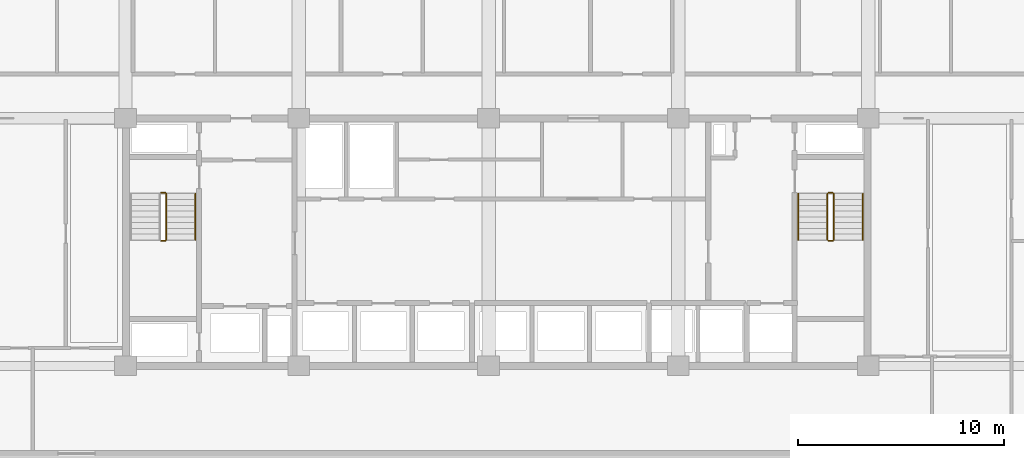
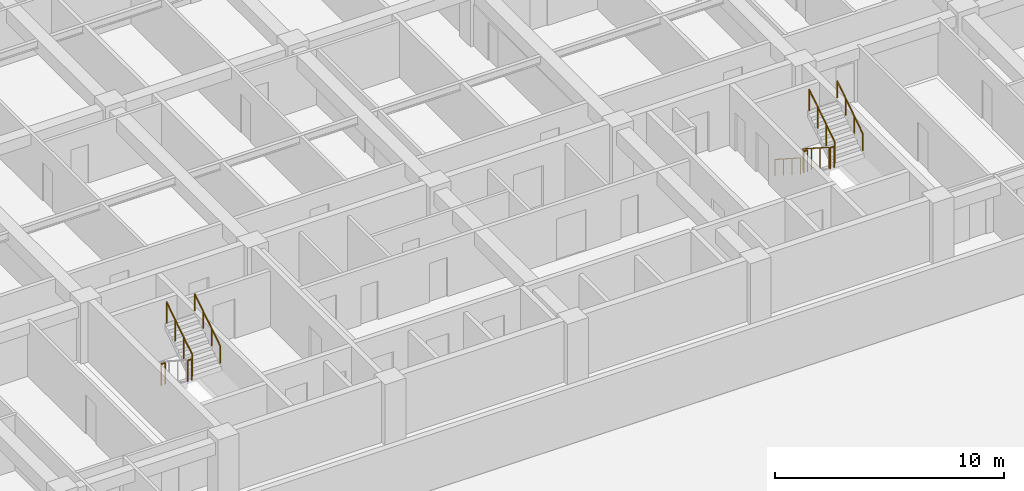
# One storey, part 23 of 24: 10 railings.
"""IFC4 building model written with IfcOpenShell, lengths in metres."""

from ifc_helpers import new_model, si_unit, direction, frame, origin, origin_2d, place, context, subcontext, project, spatial, circle, extrude, material, type_object, element, save


model = new_model("IFC4")

# Units and contexts
model_context = context("Model", 3, precision=1e-05, world=origin(), true_north=direction((0.0, 1.0)))
body_context = subcontext(model_context, "Body", "Model", "MODEL_VIEW")
ifc_project = project(units=[si_unit("LENGTHUNIT", "METRE"), si_unit("AREAUNIT", "SQUARE_METRE"), si_unit("VOLUMEUNIT", "CUBIC_METRE"), si_unit("PLANEANGLEUNIT", "RADIAN"), si_unit("MASSUNIT", "GRAM", prefix="KILO")], contexts=[model_context])

# Site, building, storey
site_placement = place(None, origin())
site = spatial("IfcSite", under=ifc_project, at=site_placement, CompositionType="ELEMENT")
building_placement = place(site_placement, origin())
building = spatial("IfcBuilding", under=site, at=building_placement, Name="Korimba Cascade Residences", CompositionType="ELEMENT")
storey_placement = place(building_placement, frame((0.0, 0.0, 24.0)))
storey = spatial("IfcBuildingStorey", under=building, at=storey_placement, Name="L05", CompositionType="ELEMENT", Elevation=24.0)

# Railings
ifc_material_1 = material(Name="Painted Steel Stairwell Guardrail", Category="steel")
railing_type_1 = type_object("IfcRailingType", Name="RLG-ST-GD1150", PredefinedType="GUARDRAIL", material=ifc_material_1)
railing_1_placement = place(storey_placement, frame((77.820068359375, 61.260009765625, 1.625)))
element("IfcRailing", 1, at=railing_1_placement, inside=storey, type_object=railing_type_1, Name="L05 ST-W1 stair guard 2", PredefinedType="GUARDRAIL", context=body_context, shape_type="SweptSolid", body=[
    extrude(circle(Radius=0.02392578125, at=origin_2d()), frame((0.0, 0.0, 1.1259765625), z_axis=(1.0, 0.0, 0.0), x_axis=(0.0, 1.0, 0.0)), (0.0, 0.0, 1.0), 0.199951171875),
    extrude(circle(Radius=0.02099609375, at=origin_2d()), origin(), (0.0, 0.0, 1.0), 1.101806640625),
    extrude(circle(Radius=0.02099609375, at=origin_2d()), frame((0.199951171875, 0.0, 0.0)), (0.0, 0.0, 1.0), 1.101806640625),
])
railing_2_placement = place(storey_placement, frame((78.070068359375, 61.31005859375, 1.8056640625)))
element("IfcRailing", 2, at=railing_2_placement, inside=storey, type_object=railing_type_1, Name="L05 ST-W1 stair guard 3", PredefinedType="GUARDRAIL", context=body_context, shape_type="SweptSolid", body=[
    extrude(circle(Radius=0.02392578125, at=origin_2d()), frame((0.0, 0.0, 1.1259765625), z_axis=(0.0, 0.840436612492, 0.541909863706), x_axis=(-1.0, 0.0, 0.0)), (0.0, 0.0, 1.0), 2.665283203125),
    extrude(circle(Radius=0.02099609375, at=origin_2d()), origin(), (0.0, 0.0, 1.0), 1.101806640625),
    extrude(circle(Radius=0.02099609375, at=origin_2d()), frame((0.0, 0.74658203125, 0.4814453125)), (0.0, 0.0, 1.0), 1.101806640625),
    extrude(circle(Radius=0.02099609375, at=origin_2d()), frame((0.0, 1.493408203125, 0.962890625)), (0.0, 0.0, 1.0), 1.101806640625),
    extrude(circle(Radius=0.02099609375, at=origin_2d()), frame((0.0, 2.239990234375, 1.4443359375)), (0.0, 0.0, 1.0), 1.101806640625),
])
railing_3_placement = place(storey_placement, frame((77.820068359375, 63.60009765625, 0.0)))
element("IfcRailing", 3, at=railing_3_placement, inside=storey, type_object=railing_type_1, Name="L05 ST-W1 stair guard 4", PredefinedType="GUARDRAIL", context=body_context, shape_type="SweptSolid", body=[
    extrude(circle(Radius=0.02392578125, at=origin_2d()), frame((0.0, 0.0, 1.1259765625), z_axis=(1.0, 0.0, 0.0), x_axis=(0.0, 1.0, 0.0)), (0.0, 0.0, 1.0), 0.199951171875),
    extrude(circle(Radius=0.02099609375, at=origin_2d()), origin(), (0.0, 0.0, 1.0), 1.101806640625),
    extrude(circle(Radius=0.02099609375, at=origin_2d()), frame((0.199951171875, 0.0, 0.0)), (0.0, 0.0, 1.0), 1.101806640625),
])
railing_4_placement = place(storey_placement, frame((110.1298828125, 63.550048828125, 0.1806640625)))
element("IfcRailing", 4, at=railing_4_placement, inside=storey, type_object=railing_type_1, Name="L05 ST-W2 stair guard 1", PredefinedType="GUARDRAIL", context=body_context, shape_type="SweptSolid", body=[
    extrude(circle(Radius=0.02392578125, at=origin_2d()), frame((0.0, 0.0, 1.1259765625), z_axis=(0.0, -0.840436612492, 0.541909863706), x_axis=(1.0, 0.0, 0.0)), (0.0, 0.0, 1.0), 2.665283203125),
    extrude(circle(Radius=0.02099609375, at=origin_2d()), origin(), (0.0, 0.0, 1.0), 1.101806640625),
    extrude(circle(Radius=0.02099609375, at=origin_2d()), frame((0.0, -0.74658203125, 0.4814453125)), (0.0, 0.0, 1.0), 1.101806640625),
    extrude(circle(Radius=0.02099609375, at=origin_2d()), frame((0.0, -1.493408203125, 0.962890625)), (0.0, 0.0, 1.0), 1.101806640625),
    extrude(circle(Radius=0.02099609375, at=origin_2d()), frame((0.0, -2.239990234375, 1.4443359375)), (0.0, 0.0, 1.0), 1.101806640625),
])
railing_5_placement = place(storey_placement, frame((110.179931640625, 61.260009765625, 1.625)))
element("IfcRailing", 5, at=railing_5_placement, inside=storey, type_object=railing_type_1, Name="L05 ST-W2 stair guard 2", PredefinedType="GUARDRAIL", context=body_context, shape_type="SweptSolid", body=[
    extrude(circle(Radius=0.02392578125, at=origin_2d()), frame((0.0, 0.0, 1.1259765625), z_axis=(1.0, 0.0, 0.0), x_axis=(0.0, 1.0, 0.0)), (0.0, 0.0, 1.0), 0.199951171875),
    extrude(circle(Radius=0.02099609375, at=origin_2d()), origin(), (0.0, 0.0, 1.0), 1.101806640625),
    extrude(circle(Radius=0.02099609375, at=origin_2d()), frame((0.199951171875, 0.0, 0.0)), (0.0, 0.0, 1.0), 1.101806640625),
])
railing_6_placement = place(storey_placement, frame((110.429931640625, 61.31005859375, 1.8056640625)))
element("IfcRailing", 6, at=railing_6_placement, inside=storey, type_object=railing_type_1, Name="L05 ST-W2 stair guard 3", PredefinedType="GUARDRAIL", context=body_context, shape_type="SweptSolid", body=[
    extrude(circle(Radius=0.02392578125, at=origin_2d()), frame((0.0, 0.0, 1.1259765625), z_axis=(0.0, 0.840436612492, 0.541909863706), x_axis=(-1.0, 0.0, 0.0)), (0.0, 0.0, 1.0), 2.665283203125),
    extrude(circle(Radius=0.02099609375, at=origin_2d()), origin(), (0.0, 0.0, 1.0), 1.101806640625),
    extrude(circle(Radius=0.02099609375, at=origin_2d()), frame((0.0, 0.74658203125, 0.4814453125)), (0.0, 0.0, 1.0), 1.101806640625),
    extrude(circle(Radius=0.02099609375, at=origin_2d()), frame((0.0, 1.493408203125, 0.962890625)), (0.0, 0.0, 1.0), 1.101806640625),
    extrude(circle(Radius=0.02099609375, at=origin_2d()), frame((0.0, 2.239990234375, 1.4443359375)), (0.0, 0.0, 1.0), 1.101806640625),
])
railing_7_placement = place(storey_placement, frame((110.179931640625, 63.60009765625, 0.0)))
element("IfcRailing", 7, at=railing_7_placement, inside=storey, type_object=railing_type_1, Name="L05 ST-W2 stair guard 4", PredefinedType="GUARDRAIL", context=body_context, shape_type="SweptSolid", body=[
    extrude(circle(Radius=0.02392578125, at=origin_2d()), frame((0.0, 0.0, 1.1259765625), z_axis=(1.0, 0.0, 0.0), x_axis=(0.0, 1.0, 0.0)), (0.0, 0.0, 1.0), 0.199951171875),
    extrude(circle(Radius=0.02099609375, at=origin_2d()), origin(), (0.0, 0.0, 1.0), 1.101806640625),
    extrude(circle(Radius=0.02099609375, at=origin_2d()), frame((0.199951171875, 0.0, 0.0)), (0.0, 0.0, 1.0), 1.101806640625),
])
ifc_material_2 = material(Name="Brushed Stainless Steel Handrail", Category="steel")
railing_type_2 = type_object("IfcRailingType", Name="RLG-ST-HR900", PredefinedType="HANDRAIL", material=ifc_material_2)
railing_8_placement = place(storey_placement, frame((79.489990234375, 61.31005859375, 1.989990234375)))
element("IfcRailing", 8, at=railing_8_placement, inside=storey, type_object=railing_type_2, Name="L05 ST-W1 stair handrail 2", PredefinedType="HANDRAIL", context=body_context, shape_type="SweptSolid", body=[
    extrude(circle(Radius=0.02392578125, at=origin_2d()), frame((0.0, 0.0, 0.8759765625), z_axis=(0.0, 0.840436612492, 0.541909863706), x_axis=(-1.0, 0.0, 0.0)), (0.0, 0.0, 1.0), 2.665283203125),
    extrude(circle(Radius=0.02099609375, at=origin_2d()), origin(), (0.0, 0.0, 1.0), 0.851806640625),
    extrude(circle(Radius=0.02099609375, at=origin_2d()), frame((0.0, 0.74658203125, 0.4814453125)), (0.0, 0.0, 1.0), 0.851806640625),
    extrude(circle(Radius=0.02099609375, at=origin_2d()), frame((0.0, 1.493408203125, 0.962890625)), (0.0, 0.0, 1.0), 0.851806640625),
    extrude(circle(Radius=0.02099609375, at=origin_2d()), frame((0.0, 2.239990234375, 1.4443359375)), (0.0, 0.0, 1.0), 0.851806640625),
])
railing_9_placement = place(storey_placement, frame((108.7099609375, 63.550048828125, 0.364990234375)))
element("IfcRailing", 9, at=railing_9_placement, inside=storey, type_object=railing_type_2, Name="L05 ST-W2 stair handrail 1", PredefinedType="HANDRAIL", context=body_context, shape_type="SweptSolid", body=[
    extrude(circle(Radius=0.02392578125, at=origin_2d()), frame((0.0, 0.0, 0.8759765625), z_axis=(0.0, -0.840436612492, 0.541909863706), x_axis=(1.0, 0.0, 0.0)), (0.0, 0.0, 1.0), 2.665283203125),
    extrude(circle(Radius=0.02099609375, at=origin_2d()), origin(), (0.0, 0.0, 1.0), 0.851806640625),
    extrude(circle(Radius=0.02099609375, at=origin_2d()), frame((0.0, -0.74658203125, 0.4814453125)), (0.0, 0.0, 1.0), 0.851806640625),
    extrude(circle(Radius=0.02099609375, at=origin_2d()), frame((0.0, -1.493408203125, 0.962890625)), (0.0, 0.0, 1.0), 0.851806640625),
    extrude(circle(Radius=0.02099609375, at=origin_2d()), frame((0.0, -2.239990234375, 1.4443359375)), (0.0, 0.0, 1.0), 0.851806640625),
])
railing_10_placement = place(storey_placement, frame((111.85009765625, 61.31005859375, 1.989990234375)))
element("IfcRailing", 10, at=railing_10_placement, inside=storey, type_object=railing_type_2, Name="L05 ST-W2 stair handrail 2", PredefinedType="HANDRAIL", context=body_context, shape_type="SweptSolid", body=[
    extrude(circle(Radius=0.02392578125, at=origin_2d()), frame((0.0, 0.0, 0.8759765625), z_axis=(0.0, 0.840436612492, 0.541909863706), x_axis=(-1.0, 0.0, 0.0)), (0.0, 0.0, 1.0), 2.665283203125),
    extrude(circle(Radius=0.02099609375, at=origin_2d()), origin(), (0.0, 0.0, 1.0), 0.851806640625),
    extrude(circle(Radius=0.02099609375, at=origin_2d()), frame((0.0, 0.74658203125, 0.4814453125)), (0.0, 0.0, 1.0), 0.851806640625),
    extrude(circle(Radius=0.02099609375, at=origin_2d()), frame((0.0, 1.493408203125, 0.962890625)), (0.0, 0.0, 1.0), 0.851806640625),
    extrude(circle(Radius=0.02099609375, at=origin_2d()), frame((0.0, 2.239990234375, 1.4443359375)), (0.0, 0.0, 1.0), 0.851806640625),
])

save(model, "model.ifc")
